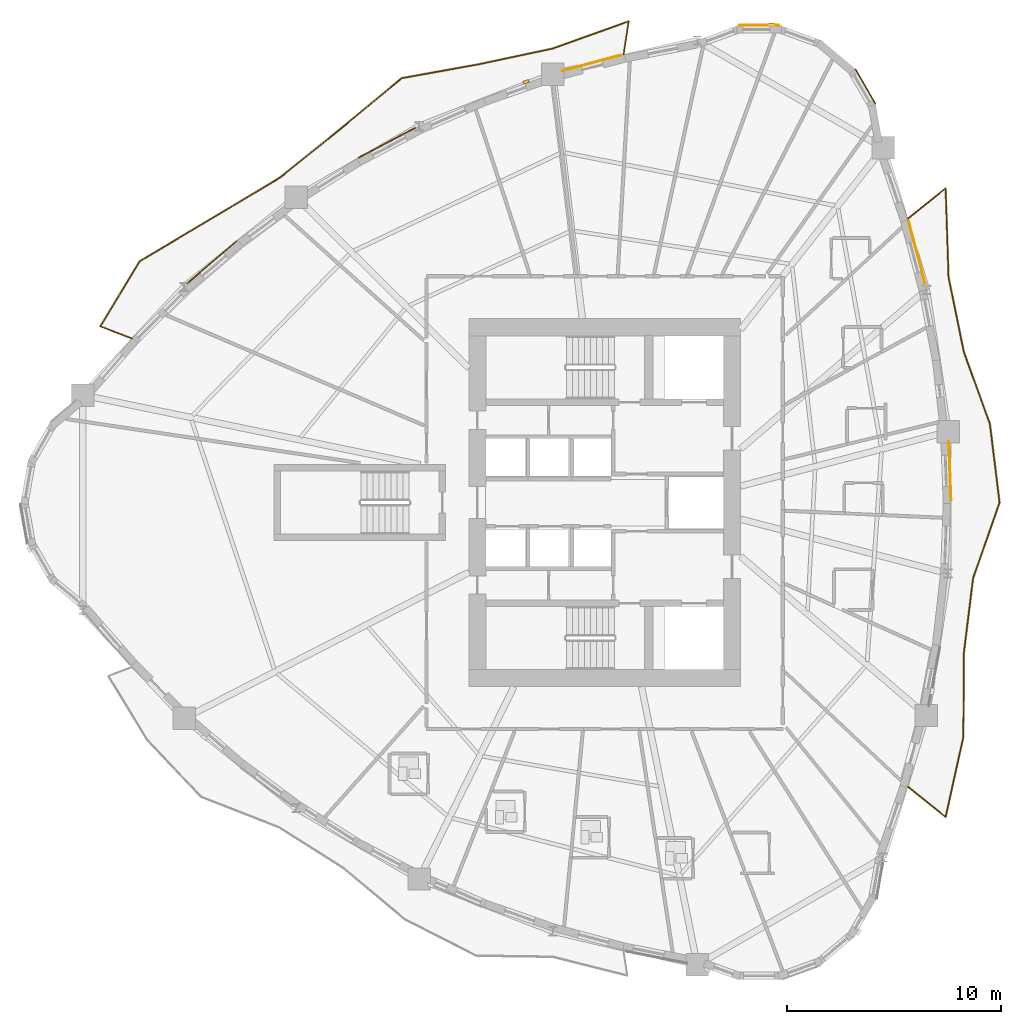
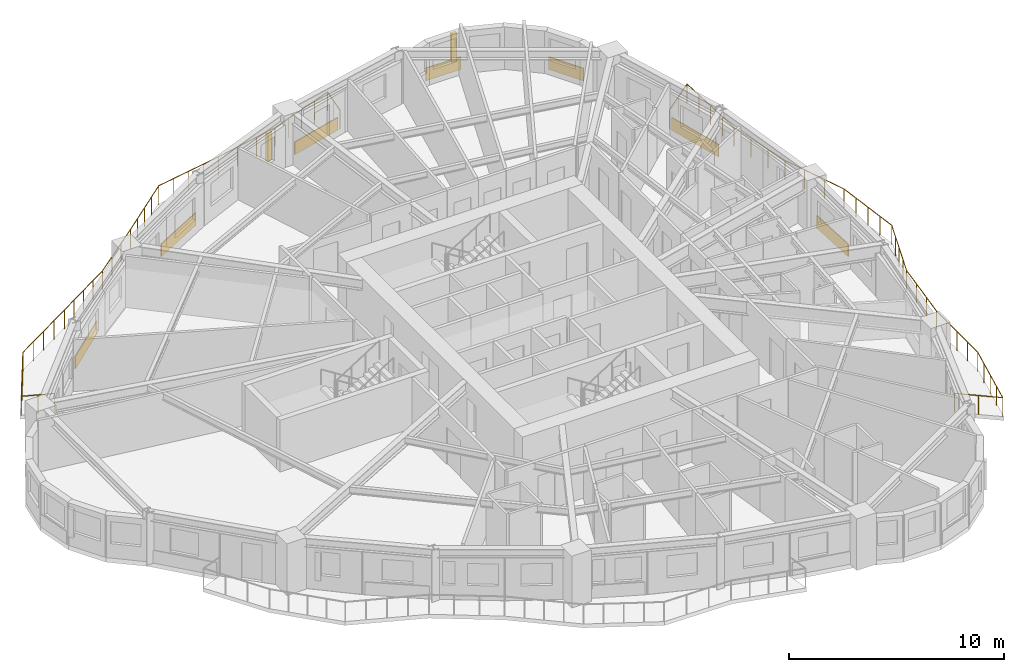
# One storey, part 13 of 14: 7 coverings, 2 railings, 2 shading devices.
"""IFC4 building model written with IfcOpenShell, lengths in metres."""

import ifcopenshell
import ifcopenshell.guid

model = None  # the IFC model being written
_history = None  # IfcOwnerHistory: only IFC2X3 demands one
_inside = {}  # id of a spatial element -> (the spatial element, [elements in it])
_under = {}  # id of a project, library or spatial element -> (it, [spatial elements below it])
_declared = {}  # id of a project -> (the project, [libraries it declares])
_typed = {}  # id of a type object -> (the type object, [elements of that type])
_made_of = {}  # id of a material, layer set ... -> (it, [elements and type objects made of it])


def new_model(schema):
    """Start an empty IFC model of exactly this schema.

    Asked for "IFC4X3", IfcOpenShell would pick the latest addendum, in which some entities
    have other attributes; the version numbers below select the first issue.
    IFC2X3 requires an IfcOwnerHistory on every rooted entity: one is made here for all.
    """
    global model, _history
    if schema == "IFC4X3":
        model = ifcopenshell.file(schema_version=(4, 3, 0, 0))
    else:
        model = ifcopenshell.file(schema=schema)
    _inside.clear()
    _under.clear()
    _declared.clear()
    _typed.clear()
    _made_of.clear()
    _history = None
    if model.schema == "IFC2X3":
        org = make("IfcOrganization", Name="unknown")
        user = make(
            "IfcPersonAndOrganization",
            ThePerson=make("IfcPerson", FamilyName="unknown"),
            TheOrganization=org,
        )
        app = make(
            "IfcApplication",
            ApplicationDeveloper=org,
            Version="unknown",
            ApplicationFullName="unknown",
            ApplicationIdentifier="unknown",
        )
        _history = make(
            "IfcOwnerHistory",
            OwningUser=user,
            OwningApplication=app,
            ChangeAction="ADDED",
            CreationDate=0,
        )
    return model


def make(cls, **values):
    """One entity of the class cls with the attributes given. An attribute that is None is left unset."""
    return model.create_entity(
        cls, **{name: value for name, value in values.items() if value is not None}
    )


def rooted(cls, **values):
    """An entity with a GlobalId (a new one), such as an element, a storey or a relation."""
    return make(cls, GlobalId=ifcopenshell.guid.new(), OwnerHistory=_history, **values)


def si_unit(unit_type, name, prefix=None):
    """IfcSIUnit, for example si_unit("LENGTHUNIT", "METRE", prefix="MILLI")."""
    return make("IfcSIUnit", UnitType=unit_type, Prefix=prefix, Name=name)


def assignment(units):
    """IfcUnitAssignment: the units of a project."""
    return None if units is None else make("IfcUnitAssignment", Units=units)


def point(xyz):
    """IfcCartesianPoint."""
    return None if xyz is None else make("IfcCartesianPoint", Coordinates=xyz)


def direction(xyz):
    """IfcDirection."""
    return None if xyz is None else make("IfcDirection", DirectionRatios=xyz)


def frame(location, z_axis=None, x_axis=None):
    """IfcAxis2Placement3D, a coordinate frame: its origin and axes. An axis left out is left unset."""
    return make(
        "IfcAxis2Placement3D",
        Location=point(location),
        Axis=direction(z_axis),
        RefDirection=direction(x_axis),
    )


def frame_2d(location, x_axis=None):
    """IfcAxis2Placement2D, a coordinate frame in the plane: its origin and x axis."""
    return make(
        "IfcAxis2Placement2D", Location=point(location), RefDirection=direction(x_axis)
    )


def origin():
    """The frame at (0, 0, 0) with its axes left unset."""
    return frame((0.0, 0.0, 0.0))


def origin_2d():
    """The frame at (0, 0) in the plane with its x axis left unset."""
    return frame_2d((0.0, 0.0))


def place(relative_to, where):
    """IfcLocalPlacement: puts the frame where relative to a parent placement (None: the world)."""
    return make(
        "IfcLocalPlacement", PlacementRelTo=relative_to, RelativePlacement=where
    )


def context(
    kind, dimensions, precision=None, world=None, true_north=None, identifier=None
):
    """IfcGeometricRepresentationContext, for example the 3D "Model" context."""
    return make(
        "IfcGeometricRepresentationContext",
        ContextIdentifier=identifier,
        ContextType=kind,
        CoordinateSpaceDimension=dimensions,
        Precision=precision,
        WorldCoordinateSystem=world,
        TrueNorth=true_north,
    )


def subcontext(parent, identifier, kind, view, scale=None):
    """IfcGeometricRepresentationSubContext, for example "Body" below "Model"."""
    return make(
        "IfcGeometricRepresentationSubContext",
        ContextIdentifier=identifier,
        ContextType=kind,
        ParentContext=parent,
        TargetScale=scale,
        TargetView=view,
    )


def project(units=None, contexts=None):
    """IfcProject with its units and contexts."""
    return rooted(
        "IfcProject",
        Name="project",
        RepresentationContexts=contexts,
        UnitsInContext=assignment(units),
    )


def spatial(cls, under=None, at=None, **own):
    """A site, building, storey or space (cls), placed at a placement, below another one or the project."""
    s = rooted(cls, ObjectPlacement=at, **own)
    if under is not None:
        _under.setdefault(under.id(), (under, []))[1].append(s)
    return s


def profile(cls, at=None, kind="AREA", **sizes):
    """A parametric profile (cls). Its sizes go by their IFC names, for example OverallWidth=200.0."""
    return make(cls, ProfileType=kind, Position=at, **sizes)


def rectangle(**sizes):
    """IfcRectangleProfileDef."""
    return profile("IfcRectangleProfileDef", **sizes)


def circle(**sizes):
    """IfcCircleProfileDef."""
    return profile("IfcCircleProfileDef", **sizes)


def extrude(swept, where, along, depth):
    """IfcExtrudedAreaSolid: the profile swept, set in the frame where, extruded along a direction by depth."""
    return make(
        "IfcExtrudedAreaSolid",
        SweptArea=swept,
        Position=where,
        ExtrudedDirection=direction(along),
        Depth=depth,
    )


def shape(context_of_items, identifier, shape_type, items):
    """IfcShapeRepresentation: the items that make up one representation, for example the "Body"."""
    return make(
        "IfcShapeRepresentation",
        ContextOfItems=context_of_items,
        RepresentationIdentifier=identifier,
        RepresentationType=shape_type,
        Items=items,
    )


def source(mapping_origin, context_of_items, identifier, shape_type, items):
    """IfcRepresentationMap: a shape defined once, which mapped items show again and again."""
    return make(
        "IfcRepresentationMap",
        MappingOrigin=mapping_origin,
        MappedRepresentation=shape(context_of_items, identifier, shape_type, items),
    )


def transform(
    local_origin,
    x_axis=None,
    y_axis=None,
    z_axis=None,
    scale=None,
    scale2=None,
    scale3=None,
    uniform=True,
):
    """IfcCartesianTransformationOperator3D, or its non-uniform kind. x_axis, y_axis, z_axis: its Axis1, 2, 3."""
    if uniform:
        return make(
            "IfcCartesianTransformationOperator3D",
            Axis1=direction(x_axis),
            Axis2=direction(y_axis),
            LocalOrigin=point(local_origin),
            Scale=scale,
            Axis3=direction(z_axis),
        )
    return make(
        "IfcCartesianTransformationOperator3DnonUniform",
        Axis1=direction(x_axis),
        Axis2=direction(y_axis),
        LocalOrigin=point(local_origin),
        Scale=scale,
        Axis3=direction(z_axis),
        Scale2=scale2,
        Scale3=scale3,
    )


def mapped(mapping_source, mapping_target):
    """IfcMappedItem: shows the shape of a source again, moved by a transform."""
    return make(
        "IfcMappedItem", MappingSource=mapping_source, MappingTarget=mapping_target
    )


def material(Name=None, Category=None):
    """IfcMaterial."""
    return make("IfcMaterial", Name=Name, Category=Category)


def layer(
    of_material, thickness, ventilated=None, Name=None, Category=None, Priority=None
):
    """IfcMaterialLayer: one layer of a wall or slab, of a material (None: an air gap)."""
    return make(
        "IfcMaterialLayer",
        Material=of_material,
        LayerThickness=thickness,
        IsVentilated=ventilated,
        Name=Name,
        Category=Category,
        Priority=Priority,
    )


def layer_set(layers, Name=None):
    """IfcMaterialLayerSet."""
    return make("IfcMaterialLayerSet", MaterialLayers=layers, LayerSetName=Name)


def made_of(thing, what):
    """Note that an element or type object is made of a material, layer set ...; save() writes the relation."""
    if what is not None:
        _made_of.setdefault(what.id(), (what, []))[1].append(thing)
    return thing


def type_object(cls, material=None, **own):
    """A type object (cls), such as IfcWallType, which elements share."""
    return made_of(rooted(cls, **own), material)


def element(
    cls,
    number,
    at=None,
    inside=None,
    cuts=None,
    type_object=None,
    material=None,
    context=None,
    identifier="Body",
    shape_type=None,
    held_by="IfcProductDefinitionShape",
    body=None,
    shapes=None,
    **own,
):
    """One element of the class cls, such as IfcWall. Its Tag is "e" and its number.

    at: its placement. inside: the storey or other place that contains it. cuts: it is an
    opening in that element (IfcRelVoidsElement). A single representation is given by context,
    identifier, shape_type and body (its items); several are given by shapes. held_by: the class
    of the entity that holds the representations. save() writes the other relations.
    """
    e = rooted(cls, Tag="e%d" % number, ObjectPlacement=at, **own)
    if body is not None:
        shapes = [shape(context, identifier, shape_type, body)]
    if shapes is not None:
        e.Representation = make(held_by, Representations=shapes)
    if inside is not None:
        _inside.setdefault(inside.id(), (inside, []))[1].append(e)
    if cuts is not None:
        rooted(
            "IfcRelVoidsElement", RelatingBuildingElement=cuts, RelatedOpeningElement=e
        )
    if type_object is not None:
        _typed.setdefault(type_object.id(), (type_object, []))[1].append(e)
    return made_of(e, material)


def aggregate(whole, parts):
    """IfcRelAggregates: a whole, such as a stair, and the parts it consists of."""
    return rooted("IfcRelAggregates", RelatingObject=whole, RelatedObjects=parts)


def save(model, path):
    """Write the relations noted so far, then the file.

    IfcRelAggregates (storeys below a building ...), IfcRelContainedInSpatialStructure (elements
    in a storey), IfcRelDefinesByType, IfcRelAssociatesMaterial and IfcRelDeclares: one each for
    every whole, place, type object, material and project.
    """
    for whole, parts in _under.values():
        aggregate(whole, parts)
    for where, things in _inside.values():
        rooted(
            "IfcRelContainedInSpatialStructure",
            RelatedElements=things,
            RelatingStructure=where,
        )
    for kind, things in _typed.values():
        rooted("IfcRelDefinesByType", RelatedObjects=things, RelatingType=kind)
    for what, things in _made_of.values():
        rooted("IfcRelAssociatesMaterial", RelatedObjects=things, RelatingMaterial=what)
    for by, libraries in _declared.values():
        rooted("IfcRelDeclares", RelatingContext=by, RelatedDefinitions=libraries)
    model.write(path)


model = new_model("IFC4")

# Units and contexts
model_context = context("Model", 3, precision=1e-05, world=origin(), true_north=direction((0.0, 1.0)))
body_context = subcontext(model_context, "Body", "Model", "MODEL_VIEW")
ifc_project = project(units=[si_unit("LENGTHUNIT", "METRE"), si_unit("AREAUNIT", "SQUARE_METRE"), si_unit("VOLUMEUNIT", "CUBIC_METRE"), si_unit("PLANEANGLEUNIT", "RADIAN"), si_unit("MASSUNIT", "GRAM", prefix="KILO")], contexts=[model_context])

# Site, building, storey
site_placement = place(None, origin())
site = spatial("IfcSite", under=ifc_project, at=site_placement, CompositionType="ELEMENT")
building_placement = place(site_placement, origin())
building = spatial("IfcBuilding", under=site, at=building_placement, Name="Qafzar Sky-Pleat Residences", CompositionType="ELEMENT")
storey_placement = place(building_placement, frame((0.0, 0.0, 23.800048828125)))
storey = spatial("IfcBuildingStorey", under=building, at=storey_placement, Name="L06", CompositionType="ELEMENT", Elevation=23.800048828125)

# Shading devices
ifc_material_1 = material(Name="Honed Riyadh limestone solar fin", Category="masonry")
ifc_layer_1 = layer(ifc_material_1, 0.139892578125)
ifc_layer_set_1 = layer_set([ifc_layer_1], Name="Honed Riyadh limestone solar fin")
shading_device_type = type_object("IfcShadingDeviceType", Name="SHD-FIN-STONE", PredefinedType="SHUTTER", material=ifc_layer_set_1)
shared_shape_1 = source(origin(), body_context, "Body", "SweptSolid", [
    extrude(rectangle(XDim=0.139892578125, YDim=0.280029296875, at=origin_2d()), origin(), (0.0, 0.0, 1.0), 1.60009765625),
])
for number, where, z_axis, x_axis, name in (
    (1, (38.154541015625, 48.35693359375, 0.599853515625), (0.0, 0.0, 1.0), (0.0, 1.0, 0.0), "L06 Limestone Solar Fin 37"),
    (2, (26.67529296875, 45.6669921875, 0.599853515625), (0.0, 0.0, 1.0), (-0.329573011027, 0.944130091885, 0.0), "L06 Limestone Solar Fin 41"),
):
    element("IfcShadingDevice", number, at=place(storey_placement, frame(where, z_axis=z_axis, x_axis=x_axis)), inside=storey, type_object=shading_device_type, Name=name, PredefinedType="SHUTTER", context=body_context, shape_type="MappedRepresentation", body=[
        mapped(shared_shape_1, transform((0.0, 0.0, 0.0), x_axis=(1.0, 0.0, 0.0), y_axis=(0.0, 1.0, 0.0), z_axis=(0.0, 0.0, 1.0), scale=1.0)),
    ])

# Covering
ifc_material_2 = material(Name="Honed Riyadh Tuwaiq limestone cladding", Category="masonry")
ifc_layer_2 = layer(ifc_material_2, 0.044921875)
ifc_layer_set_2 = layer_set([ifc_layer_2], Name="Honed Riyadh Tuwaiq limestone cladding")
covering_type = type_object("IfcCoveringType", Name="COV-CLAD-STONE", PredefinedType="CLADDING", material=ifc_layer_set_2)
shared_shape_2 = source(origin(), body_context, "Body", "SweptSolid", [
    extrude(rectangle(XDim=1.88134765625, YDim=0.044921875, at=origin_2d()), origin(), (0.0, 0.0, 1.0), 0.719970703125),
])
covering_1_placement = place(storey_placement, frame((37.572509765625, 48.31396484375, 0.02001953125), z_axis=(0.0, 0.0, 1.0), x_axis=(-1.0, 0.0, 0.0)))
element("IfcCovering", 3, at=covering_1_placement, inside=storey, type_object=covering_type, Name="L06 Riyadh Limestone Spandrel Cladding 37", PredefinedType="CLADDING", context=body_context, shape_type="MappedRepresentation", body=[
    mapped(shared_shape_2, transform((0.0, 0.0, 0.0), x_axis=(1.0, 0.0, 0.0), y_axis=(0.0, 1.0, 0.0), z_axis=(0.0, 0.0, 1.0), scale=1.0)),
])

# Railings
ifc_material_3 = material(Name="Laminated glass and bronze steel balustrade", Category="steel")
railing_type = type_object("IfcRailingType", Name="RAIL-BAL-1100", PredefinedType="BALUSTRADE", material=ifc_material_3)
shared_shape_3 = source(origin(), body_context, "Body", "SweptSolid", [
    extrude(circle(Radius=0.02392578125, at=origin_2d()), frame((0.0, 0.0, 1.076171875), z_axis=(0.779503309926, -0.626398108087, 0.0), x_axis=(0.626398108087, 0.779503309926, 0.0)), (0.0, 0.0, 1.0), 2.270751953125),
    extrude(circle(Radius=0.02392578125, at=origin_2d()), frame((1.77001953125, -1.42236328125, 1.076171875), z_axis=(0.215647202611, 0.976471343157, 0.0), x_axis=(-0.976471343157, 0.215647202611, 0.0)), (0.0, 0.0, 1.0), 3.84814453125),
    extrude(circle(Radius=0.02392578125, at=origin_2d()), frame((2.599853515625, 2.335205078125, 1.076171875), z_axis=(0.00501686901, 0.999987415433, 0.0), x_axis=(-0.999987415433, 0.00501686901, 0.0)), (0.0, 0.0, 1.0), 3.89306640625),
    extrude(circle(Radius=0.02392578125, at=origin_2d()), frame((2.619384765625, 6.228271484375, 1.076171875), z_axis=(0.122049714152, 0.992523988262, 0.0), x_axis=(-0.992523988262, 0.122049714152, 0.0)), (0.0, 0.0, 1.0), 3.54248046875),
    extrude(circle(Radius=0.02392578125, at=origin_2d()), frame((3.0517578125, 9.744384765625, 1.076171875), z_axis=(0.331080571174, 0.943602488016, 0.0), x_axis=(-0.943602488016, 0.331080571174, 0.0)), (0.0, 0.0, 1.0), 3.73779296875),
    extrude(circle(Radius=0.02392578125, at=origin_2d()), frame((4.289306640625, 13.271484375, 1.076171875), z_axis=(-0.1217828649, 0.992556766042, 0.0), x_axis=(-0.992556766042, -0.1217828649, 0.0)), (0.0, 0.0, 1.0), 3.69677734375),
    extrude(circle(Radius=0.02392578125, at=origin_2d()), frame((3.839111328125, 16.940673828125, 1.076171875), z_axis=(-0.339972192563, 0.940435488635, 0.0), x_axis=(-0.940435488635, -0.339972192563, 0.0)), (0.0, 0.0, 1.0), 3.587646484375),
    extrude(circle(Radius=0.02392578125, at=origin_2d()), frame((2.619384765625, 20.314697265625, 1.076171875), z_axis=(-0.200154405112, 0.979764366628, 0.0), x_axis=(-0.979764366628, -0.200154405112, 0.0)), (0.0, 0.0, 1.0), 3.56787109375),
    extrude(circle(Radius=0.02392578125, at=origin_2d()), frame((1.9052734375, 23.810302734375, 1.076171875), z_axis=(-0.032534621155, 0.999470609086, 0.0), x_axis=(-0.999470609086, -0.032534621155, 0.0)), (0.0, 0.0, 1.0), 4.1572265625),
    extrude(circle(Radius=0.02392578125, at=origin_2d()), frame((1.77001953125, 27.96533203125, 1.076171875), z_axis=(-0.779503309926, -0.626398108087, 0.0), x_axis=(0.626398108087, -0.779503309926, 0.0)), (0.0, 0.0, 1.0), 2.270751953125),
    extrude(circle(Radius=0.02099609375, at=origin_2d()), origin(), (0.0, 0.0, 1.0), 1.052001953125),
    extrude(circle(Radius=0.02099609375, at=origin_2d()), frame((0.885009765625, -0.711181640625, 0.0)), (0.0, 0.0, 1.0), 1.052001953125),
    extrude(circle(Radius=0.02099609375, at=origin_2d()), frame((1.77001953125, -1.42236328125, 0.0)), (0.0, 0.0, 1.0), 1.052001953125),
    extrude(circle(Radius=0.02099609375, at=origin_2d()), frame((1.9775390625, -0.48291015625, 0.0)), (0.0, 0.0, 1.0), 1.052001953125),
    extrude(circle(Radius=0.02099609375, at=origin_2d()), frame((2.18505859375, 0.45654296875, 0.0)), (0.0, 0.0, 1.0), 1.052001953125),
    extrude(circle(Radius=0.02099609375, at=origin_2d()), frame((2.392333984375, 1.395751953125, 0.0)), (0.0, 0.0, 1.0), 1.052001953125),
    extrude(circle(Radius=0.02099609375, at=origin_2d()), frame((2.599853515625, 2.335205078125, 0.0)), (0.0, 0.0, 1.0), 1.052001953125),
    extrude(circle(Radius=0.02099609375, at=origin_2d()), frame((2.604736328125, 3.30859375, 0.0)), (0.0, 0.0, 1.0), 1.052001953125),
    extrude(circle(Radius=0.02099609375, at=origin_2d()), frame((2.609619140625, 4.28173828125, 0.0)), (0.0, 0.0, 1.0), 1.052001953125),
    extrude(circle(Radius=0.02099609375, at=origin_2d()), frame((2.614501953125, 5.2548828125, 0.0)), (0.0, 0.0, 1.0), 1.052001953125),
    extrude(circle(Radius=0.02099609375, at=origin_2d()), frame((2.619384765625, 6.228271484375, 0.0)), (0.0, 0.0, 1.0), 1.052001953125),
    extrude(circle(Radius=0.02099609375, at=origin_2d()), frame((2.763427734375, 7.400390625, 0.0)), (0.0, 0.0, 1.0), 1.052001953125),
    extrude(circle(Radius=0.02099609375, at=origin_2d()), frame((2.90771484375, 8.572265625, 0.0)), (0.0, 0.0, 1.0), 1.052001953125),
    extrude(circle(Radius=0.02099609375, at=origin_2d()), frame((3.0517578125, 9.744384765625, 0.0)), (0.0, 0.0, 1.0), 1.052001953125),
    extrude(circle(Radius=0.02099609375, at=origin_2d()), frame((3.361083984375, 10.626220703125, 0.0)), (0.0, 0.0, 1.0), 1.052001953125),
    extrude(circle(Radius=0.02099609375, at=origin_2d()), frame((3.67041015625, 11.5078125, 0.0)), (0.0, 0.0, 1.0), 1.052001953125),
    extrude(circle(Radius=0.02099609375, at=origin_2d()), frame((3.97998046875, 12.3896484375, 0.0)), (0.0, 0.0, 1.0), 1.052001953125),
    extrude(circle(Radius=0.02099609375, at=origin_2d()), frame((4.289306640625, 13.271484375, 0.0)), (0.0, 0.0, 1.0), 1.052001953125),
    extrude(circle(Radius=0.02099609375, at=origin_2d()), frame((4.1767578125, 14.188720703125, 0.0)), (0.0, 0.0, 1.0), 1.052001953125),
    extrude(circle(Radius=0.02099609375, at=origin_2d()), frame((4.064208984375, 15.10595703125, 0.0)), (0.0, 0.0, 1.0), 1.052001953125),
    extrude(circle(Radius=0.02099609375, at=origin_2d()), frame((3.95166015625, 16.0234375, 0.0)), (0.0, 0.0, 1.0), 1.052001953125),
    extrude(circle(Radius=0.02099609375, at=origin_2d()), frame((3.839111328125, 16.940673828125, 0.0)), (0.0, 0.0, 1.0), 1.052001953125),
    extrude(circle(Radius=0.02099609375, at=origin_2d()), frame((3.4326171875, 18.0654296875, 0.0)), (0.0, 0.0, 1.0), 1.052001953125),
    extrude(circle(Radius=0.02099609375, at=origin_2d()), frame((3.02587890625, 19.18994140625, 0.0)), (0.0, 0.0, 1.0), 1.052001953125),
    extrude(circle(Radius=0.02099609375, at=origin_2d()), frame((2.619384765625, 20.314697265625, 0.0)), (0.0, 0.0, 1.0), 1.052001953125),
    extrude(circle(Radius=0.02099609375, at=origin_2d()), frame((2.38134765625, 21.47998046875, 0.0)), (0.0, 0.0, 1.0), 1.052001953125),
    extrude(circle(Radius=0.02099609375, at=origin_2d()), frame((2.143310546875, 22.64501953125, 0.0)), (0.0, 0.0, 1.0), 1.052001953125),
    extrude(circle(Radius=0.02099609375, at=origin_2d()), frame((1.9052734375, 23.810302734375, 0.0)), (0.0, 0.0, 1.0), 1.052001953125),
    extrude(circle(Radius=0.02099609375, at=origin_2d()), frame((1.87158203125, 24.84912109375, 0.0)), (0.0, 0.0, 1.0), 1.052001953125),
    extrude(circle(Radius=0.02099609375, at=origin_2d()), frame((1.837646484375, 25.8876953125, 0.0)), (0.0, 0.0, 1.0), 1.052001953125),
    extrude(circle(Radius=0.02099609375, at=origin_2d()), frame((1.8037109375, 26.926513671875, 0.0)), (0.0, 0.0, 1.0), 1.052001953125),
    extrude(circle(Radius=0.02099609375, at=origin_2d()), frame((1.77001953125, 27.96533203125, 0.0)), (0.0, 0.0, 1.0), 1.052001953125),
    extrude(circle(Radius=0.02099609375, at=origin_2d()), frame((0.885009765625, 27.254150390625, 0.0)), (0.0, 0.0, 1.0), 1.052001953125),
    extrude(circle(Radius=0.02099609375, at=origin_2d()), frame((0.0, 26.54296875, 0.0)), (0.0, 0.0, 1.0), 1.052001953125),
])
railing_1_placement = place(storey_placement, frame((44.51611328125, 12.728515625, 0.0)))
element("IfcRailing", 4, at=railing_1_placement, inside=storey, type_object=railing_type, Name="L06 Pleated Balcony 1 Balustrade", PredefinedType="BALUSTRADE", context=body_context, shape_type="MappedRepresentation", body=[
    mapped(shared_shape_3, transform((0.0, 0.0, 0.0), x_axis=(1.0, 0.0, 0.0), y_axis=(0.0, 1.0, 0.0), z_axis=(0.0, 0.0, 1.0), scale=1.0)),
])
shared_shape_4 = source(origin(), body_context, "Body", "SweptSolid", [
    extrude(circle(Radius=0.02392578125, at=origin_2d()), frame((0.0, 0.0, 1.076171875), z_axis=(0.152719901367, 0.988269513709, 0.0), x_axis=(-0.988269513709, 0.152719901367, 0.0)), (0.0, 0.0, 1.0), 1.577880859375),
    extrude(circle(Radius=0.02392578125, at=origin_2d()), frame((0.240966796875, 1.559326171875, 1.076171875), z_axis=(-0.941418698415, -0.337240024722, 0.0), x_axis=(0.337240024722, -0.941418698415, 0.0)), (0.0, 0.0, 1.0), 3.78173828125),
    extrude(circle(Radius=0.02392578125, at=origin_2d()), frame((-3.3193359375, 0.283935546875, 1.076171875), z_axis=(-0.978059775103, -0.208324449658, 0.0), x_axis=(0.208324449658, -0.978059775103, 0.0)), (0.0, 0.0, 1.0), 3.52978515625),
    extrude(circle(Radius=0.02392578125, at=origin_2d()), frame((-6.771728515625, -0.451416015625, 1.076171875), z_axis=(-0.984145359814, -0.177363780847, 0.0), x_axis=(0.177363780847, -0.984145359814, 0.0)), (0.0, 0.0, 1.0), 3.657470703125),
    extrude(circle(Radius=0.02392578125, at=origin_2d()), frame((-10.37109375, -1.10009765625, 1.076171875), z_axis=(-0.769927607377, -0.638131239949, 0.0), x_axis=(0.638131239949, -0.769927607377, 0.0)), (0.0, 0.0, 1.0), 3.793701171875),
    extrude(circle(Radius=0.02392578125, at=origin_2d()), frame((-13.2919921875, -3.52099609375, 1.076171875), z_axis=(-0.779532197109, -0.626362158555, 0.0), x_axis=(0.626362158555, -0.779532197109, 0.0)), (0.0, 0.0, 1.0), 3.56884765625),
    extrude(circle(Radius=0.02392578125, at=origin_2d()), frame((-16.073974609375, -5.75634765625, 1.076171875), z_axis=(-0.858128845967, -0.5134344006, 0.0), x_axis=(0.5134344006, -0.858128845967, 0.0)), (0.0, 0.0, 1.0), 3.65478515625),
    extrude(circle(Radius=0.02392578125, at=origin_2d()), frame((-19.210205078125, -7.6328125, 1.076171875), z_axis=(-0.859940284901, -0.510394657499, 0.0), x_axis=(0.510394657499, -0.859940284901, 0.0)), (0.0, 0.0, 1.0), 3.953857421875),
    extrude(circle(Radius=0.02392578125, at=origin_2d()), frame((-22.6103515625, -9.65087890625, 1.076171875), z_axis=(-0.518236465089, -0.855237374214, 0.0), x_axis=(0.855237374214, -0.518236465089, 0.0)), (0.0, 0.0, 1.0), 3.565673828125),
    extrude(circle(Radius=0.02392578125, at=origin_2d()), frame((-24.458251953125, -12.700439453125, 1.076171875), z_axis=(0.932236741176, -0.361848944177, 0.0), x_axis=(0.361848944177, 0.932236741176, 0.0)), (0.0, 0.0, 1.0), 1.578125),
    extrude(circle(Radius=0.02099609375, at=origin_2d()), origin(), (0.0, 0.0, 1.0), 1.052001953125),
    extrude(circle(Radius=0.02099609375, at=origin_2d()), frame((0.12060546875, 0.77978515625, 0.0)), (0.0, 0.0, 1.0), 1.052001953125),
    extrude(circle(Radius=0.02099609375, at=origin_2d()), frame((0.240966796875, 1.559326171875, 0.0)), (0.0, 0.0, 1.0), 1.052001953125),
    extrude(circle(Radius=0.02099609375, at=origin_2d()), frame((-0.649169921875, 1.240478515625, 0.0)), (0.0, 0.0, 1.0), 1.052001953125),
    extrude(circle(Radius=0.02099609375, at=origin_2d()), frame((-1.5390625, 0.921630859375, 0.0)), (0.0, 0.0, 1.0), 1.052001953125),
    extrude(circle(Radius=0.02099609375, at=origin_2d()), frame((-2.42919921875, 0.602783203125, 0.0)), (0.0, 0.0, 1.0), 1.052001953125),
    extrude(circle(Radius=0.02099609375, at=origin_2d()), frame((-3.3193359375, 0.283935546875, 0.0)), (0.0, 0.0, 1.0), 1.052001953125),
    extrude(circle(Radius=0.02099609375, at=origin_2d()), frame((-4.47021484375, 0.038818359375, 0.0)), (0.0, 0.0, 1.0), 1.052001953125),
    extrude(circle(Radius=0.02099609375, at=origin_2d()), frame((-5.620849609375, -0.206298828125, 0.0)), (0.0, 0.0, 1.0), 1.052001953125),
    extrude(circle(Radius=0.02099609375, at=origin_2d()), frame((-6.771728515625, -0.451416015625, 0.0)), (0.0, 0.0, 1.0), 1.052001953125),
    extrude(circle(Radius=0.02099609375, at=origin_2d()), frame((-7.671630859375, -0.613525390625, 0.0)), (0.0, 0.0, 1.0), 1.052001953125),
    extrude(circle(Radius=0.02099609375, at=origin_2d()), frame((-8.5712890625, -0.77587890625, 0.0)), (0.0, 0.0, 1.0), 1.052001953125),
    extrude(circle(Radius=0.02099609375, at=origin_2d()), frame((-9.47119140625, -0.93798828125, 0.0)), (0.0, 0.0, 1.0), 1.052001953125),
    extrude(circle(Radius=0.02099609375, at=origin_2d()), frame((-10.37109375, -1.10009765625, 0.0)), (0.0, 0.0, 1.0), 1.052001953125),
    extrude(circle(Radius=0.02099609375, at=origin_2d()), frame((-11.101318359375, -1.705322265625, 0.0)), (0.0, 0.0, 1.0), 1.052001953125),
    extrude(circle(Radius=0.02099609375, at=origin_2d()), frame((-11.83154296875, -2.310546875, 0.0)), (0.0, 0.0, 1.0), 1.052001953125),
    extrude(circle(Radius=0.02099609375, at=origin_2d()), frame((-12.561767578125, -2.915771484375, 0.0)), (0.0, 0.0, 1.0), 1.052001953125),
    extrude(circle(Radius=0.02099609375, at=origin_2d()), frame((-13.2919921875, -3.52099609375, 0.0)), (0.0, 0.0, 1.0), 1.052001953125),
    extrude(circle(Radius=0.02099609375, at=origin_2d()), frame((-14.21923828125, -4.26611328125, 0.0)), (0.0, 0.0, 1.0), 1.052001953125),
    extrude(circle(Radius=0.02099609375, at=origin_2d()), frame((-15.146728515625, -5.01123046875, 0.0)), (0.0, 0.0, 1.0), 1.052001953125),
    extrude(circle(Radius=0.02099609375, at=origin_2d()), frame((-16.073974609375, -5.75634765625, 0.0)), (0.0, 0.0, 1.0), 1.052001953125),
    extrude(circle(Radius=0.02099609375, at=origin_2d()), frame((-16.85791015625, -6.2255859375, 0.0)), (0.0, 0.0, 1.0), 1.052001953125),
    extrude(circle(Radius=0.02099609375, at=origin_2d()), frame((-17.64208984375, -6.694580078125, 0.0)), (0.0, 0.0, 1.0), 1.052001953125),
    extrude(circle(Radius=0.02099609375, at=origin_2d()), frame((-18.42626953125, -7.16357421875, 0.0)), (0.0, 0.0, 1.0), 1.052001953125),
    extrude(circle(Radius=0.02099609375, at=origin_2d()), frame((-19.210205078125, -7.6328125, 0.0)), (0.0, 0.0, 1.0), 1.052001953125),
    extrude(circle(Radius=0.02099609375, at=origin_2d()), frame((-20.060302734375, -8.13720703125, 0.0)), (0.0, 0.0, 1.0), 1.052001953125),
    extrude(circle(Radius=0.02099609375, at=origin_2d()), frame((-20.91015625, -8.641845703125, 0.0)), (0.0, 0.0, 1.0), 1.052001953125),
    extrude(circle(Radius=0.02099609375, at=origin_2d()), frame((-21.76025390625, -9.146484375, 0.0)), (0.0, 0.0, 1.0), 1.052001953125),
    extrude(circle(Radius=0.02099609375, at=origin_2d()), frame((-22.6103515625, -9.65087890625, 0.0)), (0.0, 0.0, 1.0), 1.052001953125),
    extrude(circle(Radius=0.02099609375, at=origin_2d()), frame((-23.226318359375, -10.66748046875, 0.0)), (0.0, 0.0, 1.0), 1.052001953125),
    extrude(circle(Radius=0.02099609375, at=origin_2d()), frame((-23.84228515625, -11.683837890625, 0.0)), (0.0, 0.0, 1.0), 1.052001953125),
    extrude(circle(Radius=0.02099609375, at=origin_2d()), frame((-24.458251953125, -12.700439453125, 0.0)), (0.0, 0.0, 1.0), 1.052001953125),
    extrude(circle(Radius=0.02099609375, at=origin_2d()), frame((-23.72265625, -12.98583984375, 0.0)), (0.0, 0.0, 1.0), 1.052001953125),
    extrude(circle(Radius=0.02099609375, at=origin_2d()), frame((-22.987060546875, -13.271484375, 0.0)), (0.0, 0.0, 1.0), 1.052001953125),
])
railing_2_placement = place(storey_placement, frame((31.235595703125, 46.93896484375, 0.0)))
element("IfcRailing", 5, at=railing_2_placement, inside=storey, type_object=railing_type, Name="L06 Pleated Balcony 2 Balustrade", PredefinedType="BALUSTRADE", context=body_context, shape_type="MappedRepresentation", body=[
    mapped(shared_shape_4, transform((0.0, 0.0, 0.0), x_axis=(1.0, 0.0, 0.0), y_axis=(0.0, 1.0, 0.0), z_axis=(0.0, 0.0, 1.0), scale=1.0)),
])

# Coverings
shared_shape_5 = source(origin(), body_context, "Body", "SweptSolid", [
    extrude(rectangle(XDim=1.881103515625, YDim=0.044921875, at=origin_2d()), origin(), (0.0, 0.0, 1.0), 0.719970703125),
])
covering_2_placement = place(storey_placement, frame((42.5380859375, 45.447021484375, 0.02001953125), z_axis=(0.0, 0.0, 1.0), x_axis=(-0.499993018474, 0.866029434533, 0.0)))
element("IfcCovering", 6, at=covering_2_placement, inside=storey, type_object=covering_type, Name="L06 Riyadh Limestone Spandrel Cladding 34", PredefinedType="CLADDING", context=body_context, shape_type="MappedRepresentation", body=[
    mapped(shared_shape_5, transform((0.0, 0.0, 0.0), x_axis=(1.0, 0.0, 0.0), y_axis=(0.0, 1.0, 0.0), z_axis=(0.0, 0.0, 1.0), scale=1.0)),
])
shared_shape_6 = source(origin(), body_context, "Body", "SweptSolid", [
    extrude(rectangle(XDim=2.750732421875, YDim=0.044921875, at=origin_2d()), origin(), (0.0, 0.0, 1.0), 0.719970703125),
])
covering_3_placement = place(storey_placement, frame((46.488037109375, 27.489990234375, 0.02001953125), z_axis=(0.0, 0.0, 1.0), x_axis=(-0.037985792756, 0.999278279334, 0.0)))
element("IfcCovering", 7, at=covering_3_placement, inside=storey, type_object=covering_type, Name="L06 Riyadh Limestone Spandrel Cladding 28", PredefinedType="CLADDING", context=body_context, shape_type="MappedRepresentation", body=[
    mapped(shared_shape_6, transform((0.0, 0.0, 0.0), x_axis=(1.0, 0.0, 0.0), y_axis=(0.0, 1.0, 0.0), z_axis=(0.0, 0.0, 1.0), scale=1.0)),
])
shared_shape_7 = source(origin(), body_context, "Body", "SweptSolid", [
    extrude(rectangle(XDim=3.1044921875, YDim=0.044921875, at=origin_2d()), origin(), (0.0, 0.0, 1.0), 0.719970703125),
])
covering_4_placement = place(storey_placement, frame((44.96142578125, 37.6396484375, 0.02001953125), z_axis=(0.0, 0.0, 1.0), x_axis=(-0.257038257932, 0.966401228248, 0.0)))
element("IfcCovering", 8, at=covering_4_placement, inside=storey, type_object=covering_type, Name="L06 Riyadh Limestone Spandrel Cladding 31", PredefinedType="CLADDING", context=body_context, shape_type="MappedRepresentation", body=[
    mapped(shared_shape_7, transform((0.0, 0.0, 0.0), x_axis=(1.0, 0.0, 0.0), y_axis=(0.0, 1.0, 0.0), z_axis=(0.0, 0.0, 1.0), scale=1.0)),
])
shared_shape_8 = source(origin(), body_context, "Body", "SweptSolid", [
    extrude(rectangle(XDim=2.852294921875, YDim=0.044921875, at=origin_2d()), origin(), (0.0, 0.0, 1.0), 0.719970703125),
])
covering_5_placement = place(storey_placement, frame((29.734619140625, 46.54541015625, 0.02001953125), z_axis=(0.0, 0.0, 1.0), x_axis=(-0.965458693239, -0.260556158339, 0.0)))
element("IfcCovering", 9, at=covering_5_placement, inside=storey, type_object=covering_type, Name="L06 Riyadh Limestone Spandrel Cladding 40", PredefinedType="CLADDING", context=body_context, shape_type="MappedRepresentation", body=[
    mapped(shared_shape_8, transform((0.0, 0.0, 0.0), x_axis=(1.0, 0.0, 0.0), y_axis=(0.0, 1.0, 0.0), z_axis=(0.0, 0.0, 1.0), scale=1.0)),
])
shared_shape_9 = source(origin(), body_context, "Body", "SweptSolid", [
    extrude(rectangle(XDim=3.002685546875, YDim=0.044921875, at=origin_2d()), origin(), (0.0, 0.0, 1.0), 0.719970703125),
])
covering_6_placement = place(storey_placement, frame((20.170166015625, 42.821533203125, 0.02001953125), z_axis=(0.0, 0.0, 1.0), x_axis=(-0.88438647122, -0.46675536368, 0.0)))
element("IfcCovering", 10, at=covering_6_placement, inside=storey, type_object=covering_type, Name="L06 Riyadh Limestone Spandrel Cladding 43", PredefinedType="CLADDING", context=body_context, shape_type="MappedRepresentation", body=[
    mapped(shared_shape_9, transform((0.0, 0.0, 0.0), x_axis=(1.0, 0.0, 0.0), y_axis=(0.0, 1.0, 0.0), z_axis=(0.0, 0.0, 1.0), scale=1.0)),
])
shared_shape_10 = source(origin(), body_context, "Body", "SweptSolid", [
    extrude(rectangle(XDim=3.053955078125, YDim=0.044921875, at=origin_2d()), origin(), (0.0, 0.0, 1.0), 0.719970703125),
])
covering_7_placement = place(storey_placement, frame((11.976318359375, 37.222412109375, 0.02001953125), z_axis=(0.0, 0.0, 1.0), x_axis=(-0.757491872048, -0.652844593898, 0.0)))
element("IfcCovering", 11, at=covering_7_placement, inside=storey, type_object=covering_type, Name="L06 Riyadh Limestone Spandrel Cladding 46", PredefinedType="CLADDING", context=body_context, shape_type="MappedRepresentation", body=[
    mapped(shared_shape_10, transform((0.0, 0.0, 0.0), x_axis=(1.0, 0.0, 0.0), y_axis=(0.0, 1.0, 0.0), z_axis=(0.0, 0.0, 1.0), scale=1.0)),
])

save(model, "model.ifc")
